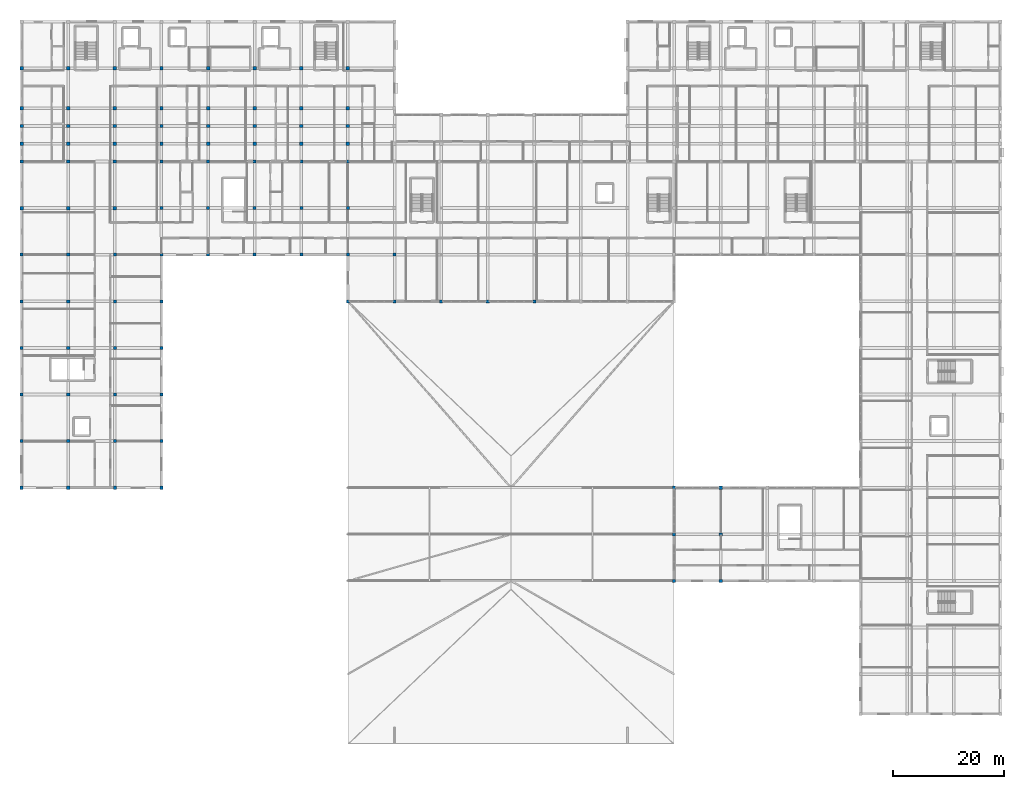
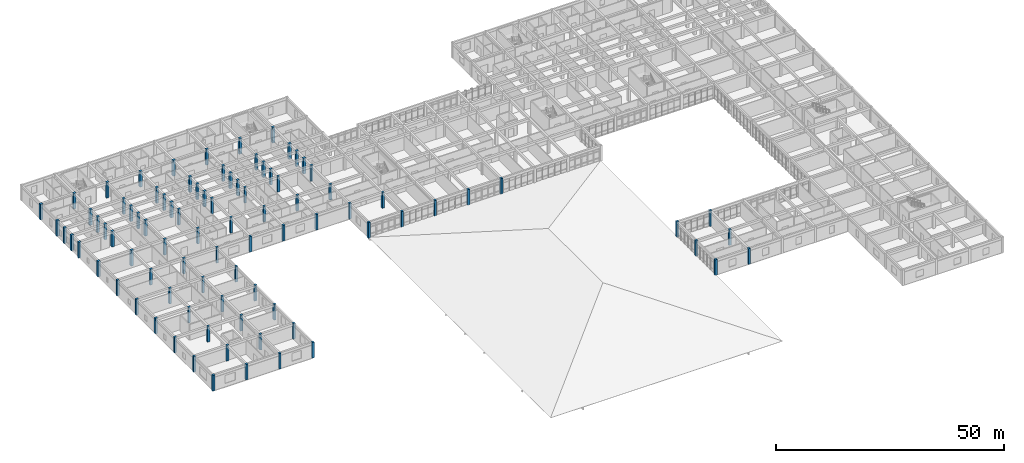
# One storey, part 1 of 77: 88 columns.
"""IFC4 building model written with IfcOpenShell, lengths in metres."""

from ifc_helpers import new_model, si_unit, direction, frame, origin, origin_2d, place, context, subcontext, project, spatial, rectangle, extrude, material, material_profile, profile_set, type_object, element, save


model = new_model("IFC4")

# Units and contexts
model_context = context("Model", 3, precision=1e-05, world=origin(), true_north=direction((0.0, 1.0)))
body_context = subcontext(model_context, "Body", "Model", "MODEL_VIEW")
ifc_project = project(units=[si_unit("LENGTHUNIT", "METRE"), si_unit("AREAUNIT", "SQUARE_METRE"), si_unit("VOLUMEUNIT", "CUBIC_METRE"), si_unit("PLANEANGLEUNIT", "RADIAN"), si_unit("MASSUNIT", "GRAM", prefix="KILO")], contexts=[model_context])

# Site, building, storey
site_placement = place(None, origin())
site = spatial("IfcSite", under=ifc_project, at=site_placement, CompositionType="ELEMENT")
building_placement = place(site_placement, origin())
building = spatial("IfcBuilding", under=site, at=building_placement, Name="Varncliffe General Hospital", CompositionType="ELEMENT")
storey_placement = place(building_placement, frame((0.0, 0.0, 16.199951171875)))
storey = spatial("IfcBuildingStorey", under=building, at=storey_placement, Name="L03", CompositionType="ELEMENT", Elevation=16.199951171875)

# Columns
ifc_material = material(Name="Concrete C40/50 (CSA A23.1 40 MPa)", Category="concrete")
ifc_material_profile_1 = material_profile(ifc_material, rectangle(XDim=0.550048828125, YDim=0.550048828125, at=origin_2d()), Name="RC 550x550")
ifc_profile_set_1 = profile_set([ifc_material_profile_1], Name="Concrete C40/50 (CSA A23.1 40 MPa)")
column_type_1 = type_object("IfcColumnType", Name="Column C26 (Ext RC 550x550)", PredefinedType="COLUMN", material=ifc_profile_set_1)
for number, where, z_axis, x_axis, name in (
    (1, (0.0, 40.800048828125, 0.0), (0.0, 0.0, 1.0), (1.0, 0.0, 0.0), "L03 Column C26"),
    (2, (0.0, 49.199951171875, 0.0), (0.0, 0.0, 1.0), (1.0, 0.0, 0.0), "L03 Column C26"),
    (3, (0.0, 57.60009765625, 0.0), (0.0, 0.0, 1.0), (1.0, 0.0, 0.0), "L03 Column C26"),
    (4, (0.0, 66.0, 0.0), (0.0, 0.0, 1.0), (1.0, 0.0, 0.0), "L03 Column C26"),
    (5, (0.0, 74.39990234375, 0.0), (0.0, 0.0, 1.0), (1.0, 0.0, 0.0), "L03 Column C26"),
    (6, (0.0, 82.800048828125, 0.0), (0.0, 0.0, 1.0), (1.0, 0.0, 0.0), "L03 Column C26"),
    (7, (8.39990234375, 40.800048828125, 0.0), (0.0, 0.0, 1.0), (1.0, 0.0, 0.0), "L03 Column C26"),
    (8, (16.800048828125, 40.800048828125, 0.0), (0.0, 0.0, 1.0), (1.0, 0.0, 0.0), "L03 Column C26"),
    (9, (25.199951171875, 40.800048828125, 0.0), (0.0, 0.0, 1.0), (1.0, 0.0, 0.0), "L03 Column C26"),
    (10, (25.199951171875, 49.199951171875, 0.0), (0.0, 0.0, 1.0), (1.0, 0.0, 0.0), "L03 Column C26"),
    (11, (25.199951171875, 57.60009765625, 0.0), (0.0, 0.0, 1.0), (1.0, 0.0, 0.0), "L03 Column C26"),
    (12, (25.199951171875, 66.0, 0.0), (0.0, 0.0, 1.0), (1.0, 0.0, 0.0), "L03 Column C26"),
    (13, (25.199951171875, 74.39990234375, 0.0), (0.0, 0.0, 1.0), (1.0, 0.0, 0.0), "L03 Column C26"),
    (14, (25.199951171875, 82.800048828125, 0.0), (0.0, 0.0, 1.0), (1.0, 0.0, 0.0), "L03 Column C26"),
    (15, (33.60009765625, 82.800048828125, 0.0), (0.0, 0.0, 1.0), (1.0, 0.0, 0.0), "L03 Column C26"),
    (16, (42.0, 82.800048828125, 0.0), (0.0, 0.0, 1.0), (1.0, 0.0, 0.0), "L03 Column C26"),
    (17, (50.39990234375, 82.800048828125, 0.0), (0.0, 0.0, 1.0), (1.0, 0.0, 0.0), "L03 Column C26"),
    (18, (58.800048828125, 74.39990234375, 0.0), (0.0, 0.0, 1.0), (1.0, 0.0, 0.0), "L03 Column C26"),
    (19, (58.800048828125, 82.800048828125, 0.0), (0.0, 0.0, 1.0), (1.0, 0.0, 0.0), "L03 Column C26"),
    (20, (67.199951171875, 74.39990234375, 0.0), (0.0, 0.0, 1.0), (1.0, 0.0, 0.0), "L03 Column C26"),
    (21, (75.60009765625, 74.39990234375, 0.0), (0.0, 0.0, 1.0), (1.0, 0.0, 0.0), "L03 Column C26"),
    (22, (84.0, 74.39990234375, 0.0), (0.0, 0.0, 1.0), (1.0, 0.0, 0.0), "L03 Column C26"),
    (23, (92.39990234375, 74.39990234375, 0.0), (0.0, 0.0, 1.0), (1.0, 0.0, 0.0), "L03 Column C26"),
    (24, (117.60009765625, 24.0, 0.0), (0.0, 0.0, 1.0), (1.0, 0.0, 0.0), "L03 Column C26"),
    (25, (117.60009765625, 32.39990234375, 0.0), (0.0, 0.0, 1.0), (1.0, 0.0, 0.0), "L03 Column C26"),
    (26, (117.60009765625, 40.800048828125, 0.0), (0.0, 0.0, 1.0), (1.0, 0.0, 0.0), "L03 Column C26"),
    (27, (126.0, 24.0, 0.0), (0.0, 0.0, 1.0), (1.0, 0.0, 0.0), "L03 Column C26"),
    (28, (126.0, 40.800048828125, 0.0), (0.0, 0.0, 1.0), (1.0, 0.0, 0.0), "L03 Column C26"),
):
    element("IfcColumn", number, at=place(storey_placement, frame(where, z_axis=z_axis, x_axis=x_axis)), inside=storey, type_object=column_type_1, Name=name, PredefinedType="COLUMN", context=body_context, shape_type="SweptSolid", body=[
        extrude(rectangle(XDim=0.550048828125, YDim=0.550048828125, at=origin_2d()), origin(), (0.0, 0.0, 1.0), 4.199951171875),
    ])
ifc_material_profile_2 = material_profile(ifc_material, rectangle(XDim=0.60009765625, YDim=0.60009765625, at=origin_2d()), Name="RC 600x600")
ifc_profile_set_2 = profile_set([ifc_material_profile_2], Name="Concrete C40/50 (CSA A23.1 40 MPa)")
column_type_2 = type_object("IfcColumnType", Name="Column C27 (Ext RC 600x600)", PredefinedType="COLUMN", material=ifc_profile_set_2)
for number, where, z_axis, x_axis, name in (
    (29, (0.0, 91.199951171875, 0.0), (0.0, 0.0, 1.0), (1.0, 0.0, 0.0), "L03 Column C27"),
    (30, (0.0, 99.60009765625, 0.0), (0.0, 0.0, 1.0), (1.0, 0.0, 0.0), "L03 Column C27"),
    (31, (0.0, 102.800048828125, 0.0), (0.0, 0.0, 1.0), (1.0, 0.0, 0.0), "L03 Column C27"),
    (32, (0.0, 106.0, 0.0), (0.0, 0.0, 1.0), (1.0, 0.0, 0.0), "L03 Column C27"),
    (33, (0.0, 109.199951171875, 0.0), (0.0, 0.0, 1.0), (1.0, 0.0, 0.0), "L03 Column C27"),
    (34, (0.0, 116.39990234375, 0.0), (0.0, 0.0, 1.0), (1.0, 0.0, 0.0), "L03 Column C27"),
):
    element("IfcColumn", number, at=place(storey_placement, frame(where, z_axis=z_axis, x_axis=x_axis)), inside=storey, type_object=column_type_2, Name=name, PredefinedType="COLUMN", context=body_context, shape_type="SweptSolid", body=[
        extrude(rectangle(XDim=0.60009765625, YDim=0.60009765625, at=origin_2d()), origin(), (0.0, 0.0, 1.0), 4.199951171875),
    ])
ifc_material_profile_3 = material_profile(ifc_material, rectangle(XDim=0.60009765625, YDim=0.60009765625, at=origin_2d()), Name="RC 600x600")
ifc_profile_set_3 = profile_set([ifc_material_profile_3], Name="Concrete C40/50 (CSA A23.1 40 MPa)")
column_type_3 = type_object("IfcColumnType", Name="Column C82 (Int RC 600x600)", PredefinedType="COLUMN", material=ifc_profile_set_3)
for number, where, z_axis, x_axis, name in (
    (35, (8.39990234375, 91.199951171875, 0.0), (0.0, 0.0, 1.0), (1.0, 0.0, 0.0), "L03 Column C82"),
    (36, (8.39990234375, 99.60009765625, 0.0), (0.0, 0.0, 1.0), (1.0, 0.0, 0.0), "L03 Column C82"),
    (37, (8.39990234375, 102.800048828125, 0.0), (0.0, 0.0, 1.0), (1.0, 0.0, 0.0), "L03 Column C82"),
    (38, (8.39990234375, 106.0, 0.0), (0.0, 0.0, 1.0), (1.0, 0.0, 0.0), "L03 Column C82"),
    (39, (8.39990234375, 109.199951171875, 0.0), (0.0, 0.0, 1.0), (1.0, 0.0, 0.0), "L03 Column C82"),
    (40, (8.39990234375, 116.39990234375, 0.0), (0.0, 0.0, 1.0), (1.0, 0.0, 0.0), "L03 Column C82"),
    (41, (16.800048828125, 91.199951171875, 0.0), (0.0, 0.0, 1.0), (1.0, 0.0, 0.0), "L03 Column C82"),
    (42, (16.800048828125, 99.60009765625, 0.0), (0.0, 0.0, 1.0), (1.0, 0.0, 0.0), "L03 Column C82"),
    (43, (16.800048828125, 102.800048828125, 0.0), (0.0, 0.0, 1.0), (1.0, 0.0, 0.0), "L03 Column C82"),
    (44, (16.800048828125, 106.0, 0.0), (0.0, 0.0, 1.0), (1.0, 0.0, 0.0), "L03 Column C82"),
    (45, (16.800048828125, 109.199951171875, 0.0), (0.0, 0.0, 1.0), (1.0, 0.0, 0.0), "L03 Column C82"),
    (46, (16.800048828125, 116.39990234375, 0.0), (0.0, 0.0, 1.0), (1.0, 0.0, 0.0), "L03 Column C82"),
    (47, (25.199951171875, 102.800048828125, 0.0), (0.0, 0.0, 1.0), (1.0, 0.0, 0.0), "L03 Column C82"),
    (48, (25.199951171875, 106.0, 0.0), (0.0, 0.0, 1.0), (1.0, 0.0, 0.0), "L03 Column C82"),
    (49, (25.199951171875, 109.199951171875, 0.0), (0.0, 0.0, 1.0), (1.0, 0.0, 0.0), "L03 Column C82"),
    (50, (25.199951171875, 116.39990234375, 0.0), (0.0, 0.0, 1.0), (1.0, 0.0, 0.0), "L03 Column C82"),
    (51, (33.60009765625, 102.800048828125, 0.0), (0.0, 0.0, 1.0), (1.0, 0.0, 0.0), "L03 Column C82"),
    (52, (33.60009765625, 106.0, 0.0), (0.0, 0.0, 1.0), (1.0, 0.0, 0.0), "L03 Column C82"),
    (53, (33.60009765625, 109.199951171875, 0.0), (0.0, 0.0, 1.0), (1.0, 0.0, 0.0), "L03 Column C82"),
    (54, (33.60009765625, 116.39990234375, 0.0), (0.0, 0.0, 1.0), (1.0, 0.0, 0.0), "L03 Column C82"),
    (55, (42.0, 102.800048828125, 0.0), (0.0, 0.0, 1.0), (1.0, 0.0, 0.0), "L03 Column C82"),
    (56, (42.0, 106.0, 0.0), (0.0, 0.0, 1.0), (1.0, 0.0, 0.0), "L03 Column C82"),
    (57, (42.0, 109.199951171875, 0.0), (0.0, 0.0, 1.0), (1.0, 0.0, 0.0), "L03 Column C82"),
    (58, (42.0, 116.39990234375, 0.0), (0.0, 0.0, 1.0), (1.0, 0.0, 0.0), "L03 Column C82"),
    (59, (50.39990234375, 102.800048828125, 0.0), (0.0, 0.0, 1.0), (1.0, 0.0, 0.0), "L03 Column C82"),
    (60, (50.39990234375, 106.0, 0.0), (0.0, 0.0, 1.0), (1.0, 0.0, 0.0), "L03 Column C82"),
    (61, (50.39990234375, 109.199951171875, 0.0), (0.0, 0.0, 1.0), (1.0, 0.0, 0.0), "L03 Column C82"),
    (62, (50.39990234375, 116.39990234375, 0.0), (0.0, 0.0, 1.0), (1.0, 0.0, 0.0), "L03 Column C82"),
    (63, (58.800048828125, 102.800048828125, 0.0), (0.0, 0.0, 1.0), (1.0, 0.0, 0.0), "L03 Column C82"),
    (64, (58.800048828125, 106.0, 0.0), (0.0, 0.0, 1.0), (1.0, 0.0, 0.0), "L03 Column C82"),
    (65, (58.800048828125, 109.199951171875, 0.0), (0.0, 0.0, 1.0), (1.0, 0.0, 0.0), "L03 Column C82"),
    (66, (58.800048828125, 116.39990234375, 0.0), (0.0, 0.0, 1.0), (1.0, 0.0, 0.0), "L03 Column C82"),
):
    element("IfcColumn", number, at=place(storey_placement, frame(where, z_axis=z_axis, x_axis=x_axis)), inside=storey, type_object=column_type_3, Name=name, PredefinedType="COLUMN", context=body_context, shape_type="SweptSolid", body=[
        extrude(rectangle(XDim=0.60009765625, YDim=0.60009765625, at=origin_2d()), origin(), (0.0, 0.0, 1.0), 4.199951171875),
    ])
ifc_material_profile_4 = material_profile(ifc_material, rectangle(XDim=0.550048828125, YDim=0.550048828125, at=origin_2d()), Name="RC 550x550")
ifc_profile_set_4 = profile_set([ifc_material_profile_4], Name="Concrete C40/50 (CSA A23.1 40 MPa)")
column_type_4 = type_object("IfcColumnType", Name="Column C85 (Int RC 550x550)", PredefinedType="COLUMN", material=ifc_profile_set_4)
for number, where, z_axis, x_axis, name in (
    (67, (8.39990234375, 49.199951171875, 0.0), (0.0, 0.0, 1.0), (1.0, 0.0, 0.0), "L03 Column C85"),
    (68, (8.39990234375, 57.60009765625, 0.0), (0.0, 0.0, 1.0), (1.0, 0.0, 0.0), "L03 Column C85"),
    (69, (8.39990234375, 66.0, 0.0), (0.0, 0.0, 1.0), (1.0, 0.0, 0.0), "L03 Column C85"),
    (70, (8.39990234375, 74.39990234375, 0.0), (0.0, 0.0, 1.0), (1.0, 0.0, 0.0), "L03 Column C85"),
    (71, (8.39990234375, 82.800048828125, 0.0), (0.0, 0.0, 1.0), (1.0, 0.0, 0.0), "L03 Column C85"),
    (72, (16.800048828125, 49.199951171875, 0.0), (0.0, 0.0, 1.0), (1.0, 0.0, 0.0), "L03 Column C85"),
    (73, (16.800048828125, 57.60009765625, 0.0), (0.0, 0.0, 1.0), (1.0, 0.0, 0.0), "L03 Column C85"),
    (74, (16.800048828125, 66.0, 0.0), (0.0, 0.0, 1.0), (1.0, 0.0, 0.0), "L03 Column C85"),
    (75, (16.800048828125, 74.39990234375, 0.0), (0.0, 0.0, 1.0), (1.0, 0.0, 0.0), "L03 Column C85"),
    (76, (16.800048828125, 82.800048828125, 0.0), (0.0, 0.0, 1.0), (1.0, 0.0, 0.0), "L03 Column C85"),
    (77, (25.199951171875, 91.199951171875, 0.0), (0.0, 0.0, 1.0), (1.0, 0.0, 0.0), "L03 Column C85"),
    (78, (25.199951171875, 99.60009765625, 0.0), (0.0, 0.0, 1.0), (1.0, 0.0, 0.0), "L03 Column C85"),
    (79, (33.60009765625, 91.199951171875, 0.0), (0.0, 0.0, 1.0), (1.0, 0.0, 0.0), "L03 Column C85"),
    (80, (33.60009765625, 99.60009765625, 0.0), (0.0, 0.0, 1.0), (1.0, 0.0, 0.0), "L03 Column C85"),
    (81, (42.0, 91.199951171875, 0.0), (0.0, 0.0, 1.0), (1.0, 0.0, 0.0), "L03 Column C85"),
    (82, (42.0, 99.60009765625, 0.0), (0.0, 0.0, 1.0), (1.0, 0.0, 0.0), "L03 Column C85"),
    (83, (50.39990234375, 91.199951171875, 0.0), (0.0, 0.0, 1.0), (1.0, 0.0, 0.0), "L03 Column C85"),
    (84, (50.39990234375, 99.60009765625, 0.0), (0.0, 0.0, 1.0), (1.0, 0.0, 0.0), "L03 Column C85"),
    (85, (58.800048828125, 91.199951171875, 0.0), (0.0, 0.0, 1.0), (1.0, 0.0, 0.0), "L03 Column C85"),
    (86, (58.800048828125, 99.60009765625, 0.0), (0.0, 0.0, 1.0), (1.0, 0.0, 0.0), "L03 Column C85"),
    (87, (67.199951171875, 82.800048828125, 0.0), (0.0, 0.0, 1.0), (1.0, 0.0, 0.0), "L03 Column C85"),
    (88, (126.0, 32.39990234375, 0.0), (0.0, 0.0, 1.0), (1.0, 0.0, 0.0), "L03 Column C85"),
):
    element("IfcColumn", number, at=place(storey_placement, frame(where, z_axis=z_axis, x_axis=x_axis)), inside=storey, type_object=column_type_4, Name=name, PredefinedType="COLUMN", context=body_context, shape_type="SweptSolid", body=[
        extrude(rectangle(XDim=0.550048828125, YDim=0.550048828125, at=origin_2d()), origin(), (0.0, 0.0, 1.0), 4.199951171875),
    ])

save(model, "model.ifc")
